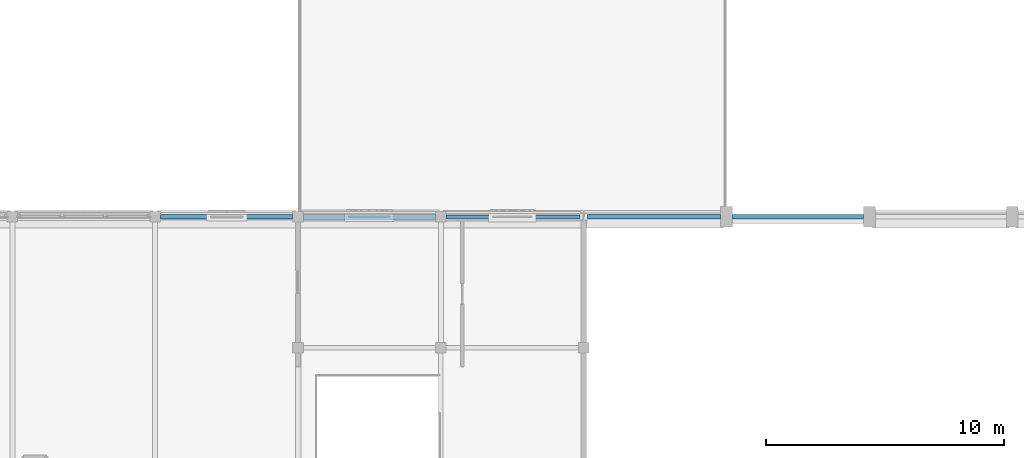
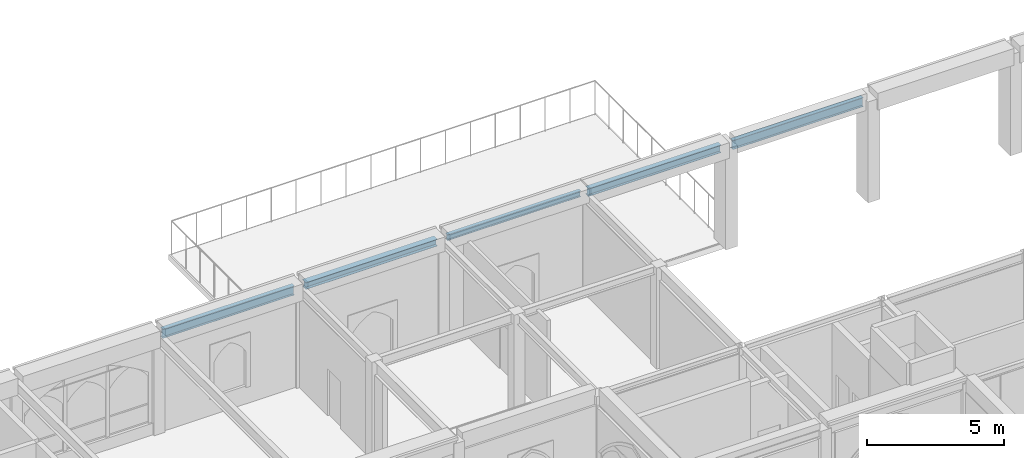
# One storey, part 20 of 59: 5 beams.
"""IFC4 building model written with IfcOpenShell, lengths in metres."""

from ifc_helpers import new_model, si_unit, direction, frame, origin, origin_2d, place, context, subcontext, project, spatial, i_section, extrude, material, material_profile, profile_set, type_object, element, save


model = new_model("IFC4")

# Units and contexts
model_context = context("Model", 3, precision=1e-05, world=origin(), true_north=direction((0.0, 1.0)))
body_context = subcontext(model_context, "Body", "Model", "MODEL_VIEW")
ifc_project = project(units=[si_unit("LENGTHUNIT", "METRE"), si_unit("AREAUNIT", "SQUARE_METRE"), si_unit("VOLUMEUNIT", "CUBIC_METRE"), si_unit("PLANEANGLEUNIT", "RADIAN"), si_unit("MASSUNIT", "GRAM", prefix="KILO")], contexts=[model_context])

# Site, building, storey
site_placement = place(None, origin())
site = spatial("IfcSite", under=ifc_project, at=site_placement, CompositionType="ELEMENT")
building_placement = place(site_placement, origin())
building = spatial("IfcBuilding", under=site, at=building_placement, Name="Cumevento Cable Car Station", CompositionType="ELEMENT")
storey_placement = place(building_placement, frame((0.0, 0.0, 18.0)))
storey = spatial("IfcBuildingStorey", under=building, at=storey_placement, Name="L05", CompositionType="ELEMENT", Elevation=18.0)

# Beams
ifc_material_1 = material(Name="Steel ASTM A572 Grade 50", Category="steel")
ifc_material_profile_1 = material_profile(ifc_material_1, i_section(OverallWidth=0.205078125, OverallDepth=0.35400390625, WebThickness=0.009521484375, FlangeThickness=0.016845703125, at=origin_2d()), Name="W360x79.0")
ifc_profile_set_1 = profile_set([ifc_material_profile_1], Name="Steel ASTM A572 Grade 50")
beam_type_1 = type_object("IfcBeamType", Name="Structural Beam BM-05 W360x79.0", PredefinedType="BEAM", material=ifc_profile_set_1)
beam_1_placement = place(storey_placement, frame((64.152587890625, 56.5, 4.322998046875), z_axis=(1.0, 0.0, 0.0), x_axis=(0.0, 1.0, 0.0)))
element("IfcBeam", 1, at=beam_1_placement, inside=storey, type_object=beam_type_1, Name="Beam BM-05 L05 #1618", PredefinedType="BEAM", context=body_context, shape_type="SweptSolid", body=[
    extrude(i_section(OverallWidth=0.205078125, OverallDepth=0.35400390625, WebThickness=0.009521484375, FlangeThickness=0.016845703125, at=origin_2d()), origin(), (0.0, 0.0, 1.0), 5.597412109375),
])
ifc_material_2 = material(Name="Steel ASTM A572 Grade 50", Category="steel")
ifc_material_profile_2 = material_profile(ifc_material_2, i_section(OverallWidth=0.25390625, OverallDepth=0.305908203125, WebThickness=0.0087890625, FlangeThickness=0.0146484375, at=origin_2d()), Name="W310x79.0")
ifc_profile_set_2 = profile_set([ifc_material_profile_2], Name="Steel ASTM A572 Grade 50")
beam_type_2 = type_object("IfcBeamType", Name="Structural Beam BM-06 W310x79.0", PredefinedType="BEAM", material=ifc_profile_set_2)
beam_2_placement = place(storey_placement, frame((52.22509765625, 56.5, 4.346923828125), z_axis=(1.0, 0.0, 0.0), x_axis=(0.0, 1.0, 0.0)))
element("IfcBeam", 2, at=beam_2_placement, inside=storey, type_object=beam_type_2, Name="Beam BM-06 L05 #1611", PredefinedType="BEAM", context=body_context, shape_type="SweptSolid", body=[
    extrude(i_section(OverallWidth=0.25390625, OverallDepth=0.305908203125, WebThickness=0.0087890625, FlangeThickness=0.0146484375, at=origin_2d()), origin(), (0.0, 0.0, 1.0), 5.5498046875),
])
ifc_material_3 = material(Name="Steel ASTM A572 Grade 50", Category="steel")
ifc_material_profile_3 = material_profile(ifc_material_3, i_section(OverallWidth=0.14794921875, OverallDepth=0.26611328125, WebThickness=0.007568359375, FlangeThickness=0.012939453125, at=origin_2d()), Name="W250x44.8")
ifc_profile_set_3 = profile_set([ifc_material_profile_3], Name="Steel ASTM A572 Grade 50")
beam_type_3 = type_object("IfcBeamType", Name="Structural Beam BM-07 W250x44.8", PredefinedType="BEAM", material=ifc_profile_set_3)
beam_3_placement = place(storey_placement, frame((58.22509765625, 56.5, 4.366943359375), z_axis=(1.0, 0.0, 0.0), x_axis=(0.0, 1.0, 0.0)))
element("IfcBeam", 3, at=beam_3_placement, inside=storey, type_object=beam_type_3, Name="Beam BM-07 L05 #1612", PredefinedType="BEAM", context=body_context, shape_type="SweptSolid", body=[
    extrude(i_section(OverallWidth=0.14794921875, OverallDepth=0.26611328125, WebThickness=0.007568359375, FlangeThickness=0.012939453125, at=origin_2d()), origin(), (0.0, 0.0, 1.0), 5.622314453125),
])
ifc_material_4 = material(Name="Steel ASTM A572 Grade 50", Category="steel")
ifc_material_profile_4 = material_profile(ifc_material_4, i_section(OverallWidth=0.177978515625, OverallDepth=0.406982421875, WebThickness=0.0078125, FlangeThickness=0.0126953125, at=origin_2d()), Name="W410x60.0")
ifc_profile_set_4 = profile_set([ifc_material_profile_4], Name="Steel ASTM A572 Grade 50")
beam_type_4 = type_object("IfcBeamType", Name="Structural Spandrel SP-01 W410x60.0", PredefinedType="SPANDREL", material=ifc_profile_set_4)
beam_4_placement = place(storey_placement, frame((46.22509765625, 56.5, 4.29638671875), z_axis=(1.0, 0.0, 0.0), x_axis=(0.0, 1.0, 0.0)))
element("IfcBeam", 4, at=beam_4_placement, inside=storey, type_object=beam_type_4, Name="Beam SP-01 L05 #1599", PredefinedType="SPANDREL", context=body_context, shape_type="SweptSolid", body=[
    extrude(i_section(OverallWidth=0.177978515625, OverallDepth=0.406982421875, WebThickness=0.0078125, FlangeThickness=0.0126953125, at=origin_2d()), origin(), (0.0, 0.0, 1.0), 5.5498046875),
])
beam_5_placement = place(storey_placement, frame((70.25, 56.5, 4.29638671875), z_axis=(1.0, 0.0, 0.0), x_axis=(0.0, 1.0, 0.0)))
element("IfcBeam", 5, at=beam_5_placement, inside=storey, type_object=beam_type_4, Name="Beam SP-01 L05 #1619", PredefinedType="SPANDREL", context=body_context, shape_type="SweptSolid", body=[
    extrude(i_section(OverallWidth=0.177978515625, OverallDepth=0.406982421875, WebThickness=0.0078125, FlangeThickness=0.0126953125, at=origin_2d()), origin(), (0.0, 0.0, 1.0), 5.5),
])

save(model, "model.ifc")
